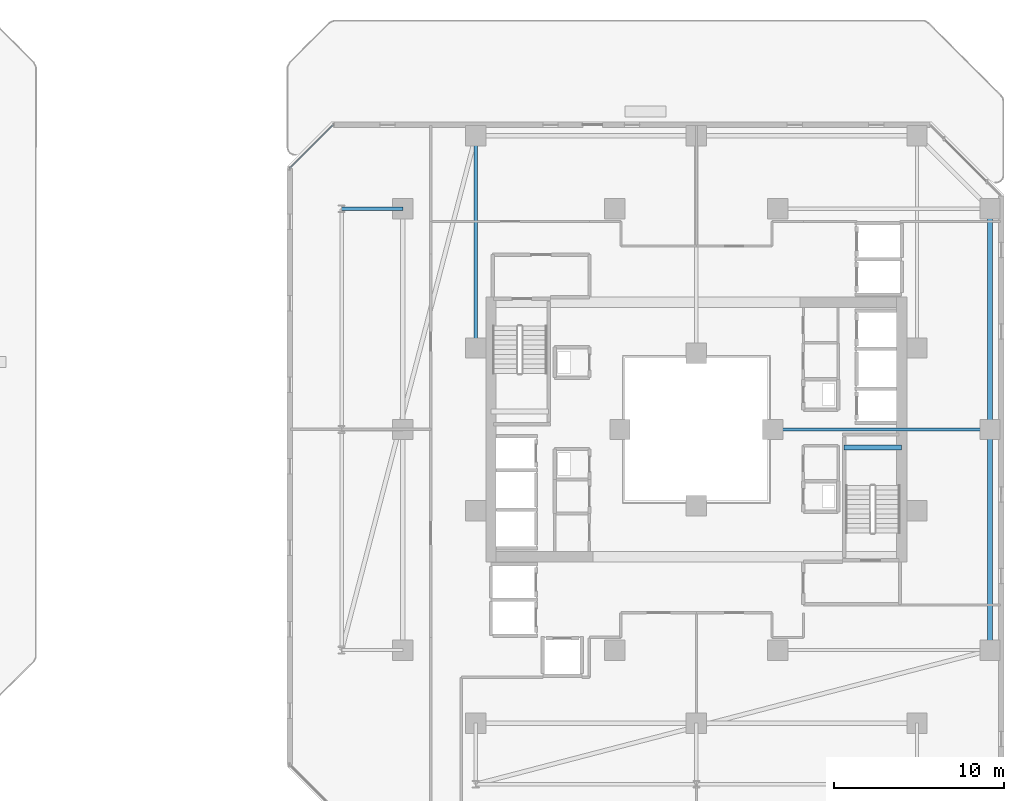
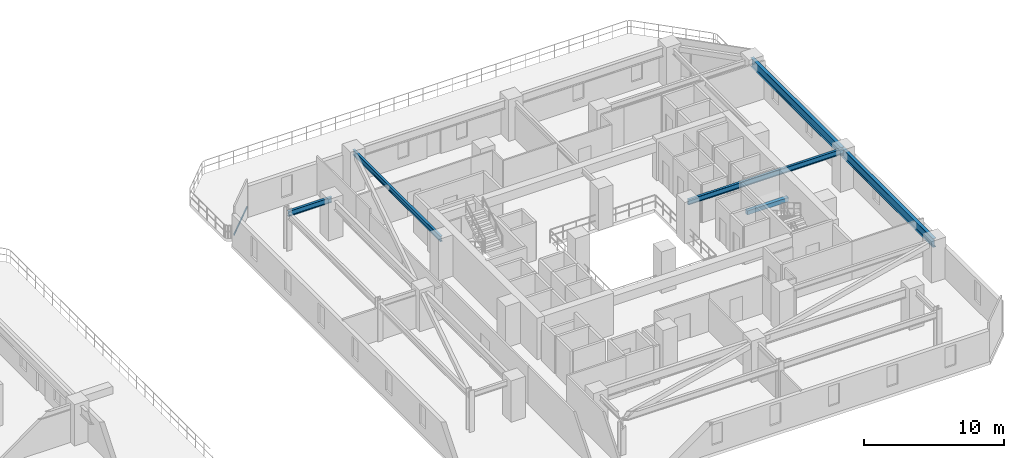
# One storey, part 15 of 33: 6 beams, 1 member, 1 element without a shape of its own.
"""IFC4 building model written with IfcOpenShell, lengths in metres."""

import ifcopenshell
import ifcopenshell.guid

model = None  # the IFC model being written
_history = None  # IfcOwnerHistory: only IFC2X3 demands one
_inside = {}  # id of a spatial element -> (the spatial element, [elements in it])
_under = {}  # id of a project, library or spatial element -> (it, [spatial elements below it])
_declared = {}  # id of a project -> (the project, [libraries it declares])
_typed = {}  # id of a type object -> (the type object, [elements of that type])
_made_of = {}  # id of a material, layer set ... -> (it, [elements and type objects made of it])


def new_model(schema):
    """Start an empty IFC model of exactly this schema.

    Asked for "IFC4X3", IfcOpenShell would pick the latest addendum, in which some entities
    have other attributes; the version numbers below select the first issue.
    IFC2X3 requires an IfcOwnerHistory on every rooted entity: one is made here for all.
    """
    global model, _history
    if schema == "IFC4X3":
        model = ifcopenshell.file(schema_version=(4, 3, 0, 0))
    else:
        model = ifcopenshell.file(schema=schema)
    _inside.clear()
    _under.clear()
    _declared.clear()
    _typed.clear()
    _made_of.clear()
    _history = None
    if model.schema == "IFC2X3":
        org = make("IfcOrganization", Name="unknown")
        user = make(
            "IfcPersonAndOrganization",
            ThePerson=make("IfcPerson", FamilyName="unknown"),
            TheOrganization=org,
        )
        app = make(
            "IfcApplication",
            ApplicationDeveloper=org,
            Version="unknown",
            ApplicationFullName="unknown",
            ApplicationIdentifier="unknown",
        )
        _history = make(
            "IfcOwnerHistory",
            OwningUser=user,
            OwningApplication=app,
            ChangeAction="ADDED",
            CreationDate=0,
        )
    return model


def make(cls, **values):
    """One entity of the class cls with the attributes given. An attribute that is None is left unset."""
    return model.create_entity(
        cls, **{name: value for name, value in values.items() if value is not None}
    )


def rooted(cls, **values):
    """An entity with a GlobalId (a new one), such as an element, a storey or a relation."""
    return make(cls, GlobalId=ifcopenshell.guid.new(), OwnerHistory=_history, **values)


def si_unit(unit_type, name, prefix=None):
    """IfcSIUnit, for example si_unit("LENGTHUNIT", "METRE", prefix="MILLI")."""
    return make("IfcSIUnit", UnitType=unit_type, Prefix=prefix, Name=name)


def assignment(units):
    """IfcUnitAssignment: the units of a project."""
    return None if units is None else make("IfcUnitAssignment", Units=units)


def point(xyz):
    """IfcCartesianPoint."""
    return None if xyz is None else make("IfcCartesianPoint", Coordinates=xyz)


def direction(xyz):
    """IfcDirection."""
    return None if xyz is None else make("IfcDirection", DirectionRatios=xyz)


def frame(location, z_axis=None, x_axis=None):
    """IfcAxis2Placement3D, a coordinate frame: its origin and axes. An axis left out is left unset."""
    return make(
        "IfcAxis2Placement3D",
        Location=point(location),
        Axis=direction(z_axis),
        RefDirection=direction(x_axis),
    )


def frame_2d(location, x_axis=None):
    """IfcAxis2Placement2D, a coordinate frame in the plane: its origin and x axis."""
    return make(
        "IfcAxis2Placement2D", Location=point(location), RefDirection=direction(x_axis)
    )


def origin():
    """The frame at (0, 0, 0) with its axes left unset."""
    return frame((0.0, 0.0, 0.0))


def origin_2d():
    """The frame at (0, 0) in the plane with its x axis left unset."""
    return frame_2d((0.0, 0.0))


def place(relative_to, where):
    """IfcLocalPlacement: puts the frame where relative to a parent placement (None: the world)."""
    return make(
        "IfcLocalPlacement", PlacementRelTo=relative_to, RelativePlacement=where
    )


def context(
    kind, dimensions, precision=None, world=None, true_north=None, identifier=None
):
    """IfcGeometricRepresentationContext, for example the 3D "Model" context."""
    return make(
        "IfcGeometricRepresentationContext",
        ContextIdentifier=identifier,
        ContextType=kind,
        CoordinateSpaceDimension=dimensions,
        Precision=precision,
        WorldCoordinateSystem=world,
        TrueNorth=true_north,
    )


def subcontext(parent, identifier, kind, view, scale=None):
    """IfcGeometricRepresentationSubContext, for example "Body" below "Model"."""
    return make(
        "IfcGeometricRepresentationSubContext",
        ContextIdentifier=identifier,
        ContextType=kind,
        ParentContext=parent,
        TargetScale=scale,
        TargetView=view,
    )


def project(units=None, contexts=None):
    """IfcProject with its units and contexts."""
    return rooted(
        "IfcProject",
        Name="project",
        RepresentationContexts=contexts,
        UnitsInContext=assignment(units),
    )


def spatial(cls, under=None, at=None, **own):
    """A site, building, storey or space (cls), placed at a placement, below another one or the project."""
    s = rooted(cls, ObjectPlacement=at, **own)
    if under is not None:
        _under.setdefault(under.id(), (under, []))[1].append(s)
    return s


def profile(cls, at=None, kind="AREA", **sizes):
    """A parametric profile (cls). Its sizes go by their IFC names, for example OverallWidth=200.0."""
    return make(cls, ProfileType=kind, Position=at, **sizes)


def rectangle(**sizes):
    """IfcRectangleProfileDef."""
    return profile("IfcRectangleProfileDef", **sizes)


def hollow_rectangle(**sizes):
    """IfcRectangleHollowProfileDef."""
    return profile("IfcRectangleHollowProfileDef", **sizes)


def i_section(**sizes):
    """IfcIShapeProfileDef."""
    return profile("IfcIShapeProfileDef", **sizes)


def extrude(swept, where, along, depth):
    """IfcExtrudedAreaSolid: the profile swept, set in the frame where, extruded along a direction by depth."""
    return make(
        "IfcExtrudedAreaSolid",
        SweptArea=swept,
        Position=where,
        ExtrudedDirection=direction(along),
        Depth=depth,
    )


def shape(context_of_items, identifier, shape_type, items):
    """IfcShapeRepresentation: the items that make up one representation, for example the "Body"."""
    return make(
        "IfcShapeRepresentation",
        ContextOfItems=context_of_items,
        RepresentationIdentifier=identifier,
        RepresentationType=shape_type,
        Items=items,
    )


def material(Name=None, Category=None):
    """IfcMaterial."""
    return make("IfcMaterial", Name=Name, Category=Category)


def material_profile(
    of_material, cross_section, Name=None, Category=None, Priority=None
):
    """IfcMaterialProfile: a cross section and its material."""
    return make(
        "IfcMaterialProfile",
        Name=Name,
        Material=of_material,
        Profile=cross_section,
        Priority=Priority,
        Category=Category,
    )


def profile_set(profiles, Name=None, composite=None):
    """IfcMaterialProfileSet."""
    return make(
        "IfcMaterialProfileSet",
        Name=Name,
        MaterialProfiles=profiles,
        CompositeProfile=composite,
    )


def made_of(thing, what):
    """Note that an element or type object is made of a material, layer set ...; save() writes the relation."""
    if what is not None:
        _made_of.setdefault(what.id(), (what, []))[1].append(thing)
    return thing


def type_object(cls, material=None, **own):
    """A type object (cls), such as IfcWallType, which elements share."""
    return made_of(rooted(cls, **own), material)


def element(
    cls,
    number,
    at=None,
    inside=None,
    cuts=None,
    type_object=None,
    material=None,
    context=None,
    identifier="Body",
    shape_type=None,
    held_by="IfcProductDefinitionShape",
    body=None,
    shapes=None,
    **own,
):
    """One element of the class cls, such as IfcWall. Its Tag is "e" and its number.

    at: its placement. inside: the storey or other place that contains it. cuts: it is an
    opening in that element (IfcRelVoidsElement). A single representation is given by context,
    identifier, shape_type and body (its items); several are given by shapes. held_by: the class
    of the entity that holds the representations. save() writes the other relations.
    """
    e = rooted(cls, Tag="e%d" % number, ObjectPlacement=at, **own)
    if body is not None:
        shapes = [shape(context, identifier, shape_type, body)]
    if shapes is not None:
        e.Representation = make(held_by, Representations=shapes)
    if inside is not None:
        _inside.setdefault(inside.id(), (inside, []))[1].append(e)
    if cuts is not None:
        rooted(
            "IfcRelVoidsElement", RelatingBuildingElement=cuts, RelatedOpeningElement=e
        )
    if type_object is not None:
        _typed.setdefault(type_object.id(), (type_object, []))[1].append(e)
    return made_of(e, material)


def aggregate(whole, parts):
    """IfcRelAggregates: a whole, such as a stair, and the parts it consists of."""
    return rooted("IfcRelAggregates", RelatingObject=whole, RelatedObjects=parts)


def save(model, path):
    """Write the relations noted so far, then the file.

    IfcRelAggregates (storeys below a building ...), IfcRelContainedInSpatialStructure (elements
    in a storey), IfcRelDefinesByType, IfcRelAssociatesMaterial and IfcRelDeclares: one each for
    every whole, place, type object, material and project.
    """
    for whole, parts in _under.values():
        aggregate(whole, parts)
    for where, things in _inside.values():
        rooted(
            "IfcRelContainedInSpatialStructure",
            RelatedElements=things,
            RelatingStructure=where,
        )
    for kind, things in _typed.values():
        rooted("IfcRelDefinesByType", RelatedObjects=things, RelatingType=kind)
    for what, things in _made_of.values():
        rooted("IfcRelAssociatesMaterial", RelatedObjects=things, RelatingMaterial=what)
    for by, libraries in _declared.values():
        rooted("IfcRelDeclares", RelatingContext=by, RelatedDefinitions=libraries)
    model.write(path)


model = new_model("IFC4")

# Units and contexts
model_context = context("Model", 3, precision=1e-05, world=origin(), true_north=direction((0.0, 1.0)))
body_context = subcontext(model_context, "Body", "Model", "MODEL_VIEW")
ifc_project = project(units=[si_unit("LENGTHUNIT", "METRE"), si_unit("AREAUNIT", "SQUARE_METRE"), si_unit("VOLUMEUNIT", "CUBIC_METRE"), si_unit("PLANEANGLEUNIT", "RADIAN"), si_unit("MASSUNIT", "GRAM", prefix="KILO")], contexts=[model_context])

# Site, building, storey
site_placement = place(None, origin())
site = spatial("IfcSite", under=ifc_project, at=site_placement, CompositionType="ELEMENT")
building_placement = place(site_placement, origin())
building = spatial("IfcBuilding", under=site, at=building_placement, Name="Thornwick Lancets Civic Towers", CompositionType="ELEMENT")
storey_placement = place(building_placement, frame((0.0, 0.0, 98.10009765625)))
storey = spatial("IfcBuildingStorey", under=building, at=storey_placement, Name="L25", CompositionType="ELEMENT", Elevation=98.10009765625)

# Beams
ifc_material_1 = material(Name="Steel S355JR", Category="steel")
ifc_material_profile_1 = material_profile(ifc_material_1, i_section(OverallWidth=0.26806640625, OverallDepth=0.769775390625, WebThickness=0.015625, FlangeThickness=0.025390625, FilletRadius=0.0166015625, at=origin_2d()), Name="UKB 762x267x197")
ifc_profile_set_1 = profile_set([ifc_material_profile_1], Name="Steel S355JR")
beam_type_1 = type_object("IfcBeamType", Name="BM_GIRD_762_197", PredefinedType="BEAM", material=ifc_profile_set_1)
beam_1_placement = place(storey_placement, frame((105.800048828125, 14.0, 2.93505859375), z_axis=(0.0, 1.0, 0.0), x_axis=(-1.0, 0.0, 0.0)))
element("IfcBeam", 1, at=beam_1_placement, inside=storey, type_object=beam_type_1, Name="BM-SPINE-L25-B-0-1", PredefinedType="BEAM", context=body_context, shape_type="SweptSolid", body=[
    extrude(i_section(OverallWidth=0.26806640625, OverallDepth=0.769775390625, WebThickness=0.015625, FlangeThickness=0.025390625, FilletRadius=0.0166015625, at=origin_2d()), origin(), (0.0, 0.0, 1.0), 13.0),
])
beam_2_placement = place(storey_placement, frame((105.800048828125, 27.080078125, 2.93505859375), z_axis=(0.0, 1.0, 0.0), x_axis=(-1.0, 0.0, 0.0)))
element("IfcBeam", 2, at=beam_2_placement, inside=storey, type_object=beam_type_1, Name="BM-SPINE-L25-B-1-2", PredefinedType="BEAM", context=body_context, shape_type="SweptSolid", body=[
    extrude(i_section(OverallWidth=0.26806640625, OverallDepth=0.769775390625, WebThickness=0.015625, FlangeThickness=0.025390625, FilletRadius=0.0166015625, at=origin_2d()), origin(), (0.0, 0.0, 1.0), 12.919921875),
])
ifc_material_profile_2 = material_profile(ifc_material_1, i_section(OverallWidth=0.19287109375, OverallDepth=0.46728515625, WebThickness=0.011474609375, FlangeThickness=0.01953125, FilletRadius=0.01025390625, at=origin_2d()), Name="UKB 457x191x98")
ifc_profile_set_2 = profile_set([ifc_material_profile_2], Name="Steel S355JR")
beam_type_2 = type_object("IfcBeamType", Name="BM_JOIST_457_98", PredefinedType="JOIST", material=ifc_profile_set_2)
beam_3_placement = place(storey_placement, frame((93.0, 27.0, 3.086181640625), z_axis=(1.0, 0.0, 0.0), x_axis=(0.0, 1.0, 0.0)))
element("IfcBeam", 3, at=beam_3_placement, inside=storey, type_object=beam_type_2, Name="BM-RADIN-L25-B02", PredefinedType="JOIST", context=body_context, shape_type="SweptSolid", body=[
    extrude(i_section(OverallWidth=0.19287109375, OverallDepth=0.46728515625, WebThickness=0.011474609375, FlangeThickness=0.01953125, FilletRadius=0.01025390625, at=origin_2d()), origin(), (0.0, 0.0, 1.0), 12.800048828125),
])
beam_4_placement = place(storey_placement, frame((75.5, 31.800048828125, 3.086181640625), z_axis=(0.0, 1.0, 0.0), x_axis=(-1.0, 0.0, 0.0)))
element("IfcBeam", 4, at=beam_4_placement, inside=storey, type_object=beam_type_2, Name="BM-RADIN-L25-B06", PredefinedType="JOIST", context=body_context, shape_type="SweptSolid", body=[
    extrude(i_section(OverallWidth=0.19287109375, OverallDepth=0.46728515625, WebThickness=0.011474609375, FlangeThickness=0.01953125, FilletRadius=0.01025390625, at=origin_2d()), origin(), (0.0, 0.0, 1.0), 12.5),
])
beam_5_placement = place(storey_placement, frame((71.199951171875, 40.0, 3.086181640625), z_axis=(-1.0, 0.0, 0.0), x_axis=(0.0, -1.0, 0.0)))
element("IfcBeam", 5, at=beam_5_placement, inside=storey, type_object=beam_type_2, Name="BM-RAD-L25-B09", PredefinedType="JOIST", context=body_context, shape_type="SweptSolid", body=[
    extrude(i_section(OverallWidth=0.19287109375, OverallDepth=0.46728515625, WebThickness=0.011474609375, FlangeThickness=0.01953125, FilletRadius=0.01025390625, at=origin_2d()), origin(), (0.0, 0.0, 1.0), 3.599853515625),
])
ifc_material_2 = material(Name="Concrete C40/50", Category="concrete")
ifc_material_profile_3 = material_profile(ifc_material_2, rectangle(XDim=0.300048828125, YDim=0.35009765625, at=origin_2d()), Name="RC 300x350")
ifc_profile_set_3 = profile_set([ifc_material_profile_3], Name="Concrete C40/50")
beam_type_3 = type_object("IfcBeamType", Name="BM_STAIR_LDG", PredefinedType="BEAM", material=ifc_profile_set_3)
beam_6_placement = place(storey_placement, frame((100.60009765625, 25.93505859375, 1.3779296875), z_axis=(-1.0, 0.0, 0.0), x_axis=(0.0, -1.0, 0.0)))
element("IfcBeam", 6, at=beam_6_placement, inside=storey, type_object=beam_type_3, Name="L25 ST-B1 Landing Support Beam 1", PredefinedType="BEAM", context=body_context, shape_type="SweptSolid", body=[
    extrude(rectangle(XDim=0.300048828125, YDim=0.35009765625, at=origin_2d()), origin(), (0.0, 0.0, 1.0), 3.400146484375),
])

# Curtain wall, member
ifc_material_3 = material(Name="Low-zone chamfered-corner unitised glass curtain wall", Category="glass")
curtain_wall_type = type_object("IfcCurtainWallType", Name="CW_SYS_03", PredefinedType="NOTDEFINED", material=ifc_material_3)
curtain_wall_placement = place(storey_placement, origin())
curtain_wall = element("IfcCurtainWall", 7, at=curtain_wall_placement, inside=storey, type_object=curtain_wall_type, Name="L25 Curtain Wall CW-L25-B-E5", PredefinedType="NOTDEFINED")
ifc_material_4 = material(Name="Thermally broken bronze aluminium S355", Category="steel")
ifc_material_profile_4 = material_profile(ifc_material_4, hollow_rectangle(XDim=0.074951171875, YDim=0.14990234375, WallThickness=0.0048828125, at=origin_2d()), Name="RHS 150x75x5")
ifc_profile_set_4 = profile_set([ifc_material_profile_4], Name="Thermally broken bronze aluminium S355")
member_type = type_object("IfcMemberType", Name="CW_TRN_150", PredefinedType="USERDEFINED", material=ifc_profile_set_4)
member_placement = place(storey_placement, frame((67.1044921875, 44.95068359375, 0.849853515625), z_axis=(-0.707106781187, -0.707106781187, 0.0), x_axis=(0.707106781187, -0.707106781187, 0.0)))
member = element("IfcMember", 8, at=member_placement, type_object=member_type, Name="CW-L25-B-E5 Transom 0", ObjectType="TRANSOM", PredefinedType="USERDEFINED", context=body_context, shape_type="SweptSolid", body=[
    extrude(hollow_rectangle(XDim=0.074951171875, YDim=0.14990234375, WallThickness=0.0048828125, at=origin_2d()), origin(), (0.0, 0.0, 1.0), 3.613525390625),
])
aggregate(curtain_wall, [member])

save(model, "model.ifc")
